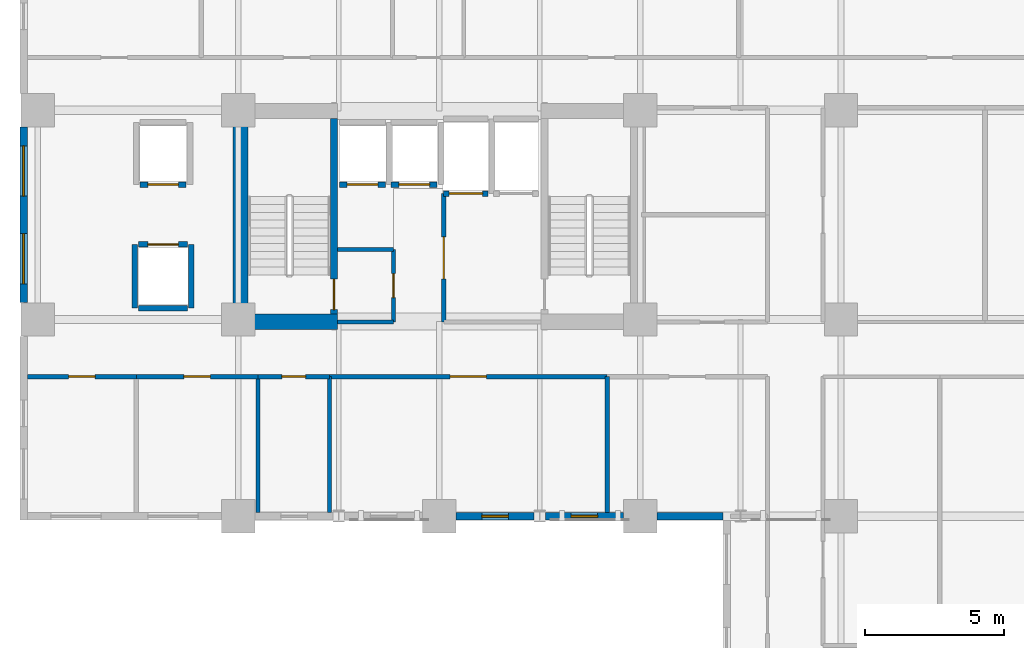
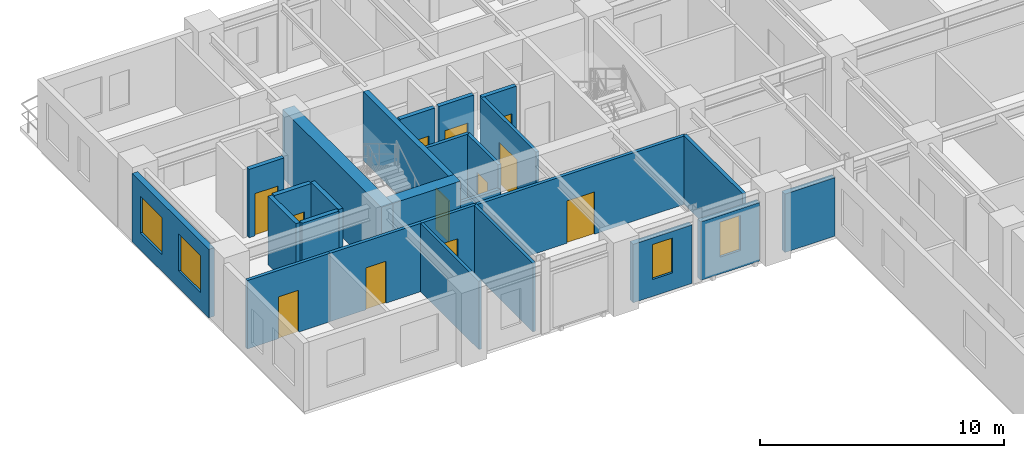
# One storey, part 3 of 11: 26 walls, 12 doors, 4 windows, 16 openings.
"""IFC4 building model written with IfcOpenShell, lengths in metres."""

from ifc_helpers import new_model, si_unit, direction, frame, frame_2d, origin, place, context, subcontext, project, spatial, rectangle, extrude, material, layer, layer_set, type_object, element, fill, save


model = new_model("IFC4")

# Units and contexts
model_context = context("Model", 3, precision=1e-05, world=origin(), true_north=direction((0.0, 1.0)))
body_context = subcontext(model_context, "Body", "Model", "MODEL_VIEW")
ifc_project = project(units=[si_unit("LENGTHUNIT", "METRE"), si_unit("AREAUNIT", "SQUARE_METRE"), si_unit("VOLUMEUNIT", "CUBIC_METRE"), si_unit("PLANEANGLEUNIT", "RADIAN"), si_unit("MASSUNIT", "GRAM", prefix="KILO")], contexts=[model_context])

# Site, building, storey
site_placement = place(None, origin())
site = spatial("IfcSite", under=ifc_project, at=site_placement, CompositionType="ELEMENT")
building_placement = place(site_placement, origin())
building = spatial("IfcBuilding", under=site, at=building_placement, Name="Kaliganga Portal Commons", CompositionType="ELEMENT")
storey_placement = place(building_placement, frame((0.0, 0.0, 89.699951171875)))
storey = spatial("IfcBuildingStorey", under=building, at=storey_placement, Name="L22", CompositionType="ELEMENT", Elevation=89.699951171875)

# Walls
ifc_material_1 = material(Name="Concrete C60/75", Category="concrete")
ifc_layer_1 = layer(ifc_material_1, 0.550048828125)
ifc_layer_set_1 = layer_set([ifc_layer_1], Name="Concrete C60/75")
wall_type_1 = type_object("IfcWallType", Name="WL-CORE-550", PredefinedType="SHEAR", material=ifc_layer_set_1)
wall_1_placement = place(storey_placement, frame((14.47509765625, 28.300048828125, 0.0), z_axis=(0.0, 0.0, 1.0), x_axis=(0.0, 1.0, 0.0)))
element("IfcWall", 1, at=wall_1_placement, inside=storey, type_object=wall_type_1, Name="Core A West Shear Wall L22", PredefinedType="SHEAR", context=body_context, shape_type="SweptSolid", body=[
    extrude(rectangle(XDim=8.099853515625, YDim=0.550048828125, at=frame_2d((4.0498046875, 0.0))), origin(), (0.0, 0.0, 1.0), 3.449951171875),
])
wall_2_placement = place(storey_placement, frame((14.75, 28.574951171875, 0.0), z_axis=(0.0, 0.0, 1.0), x_axis=(1.0, 0.0, 0.0)))
element("IfcWall", 2, at=wall_2_placement, inside=storey, type_object=wall_type_1, Name="Core A S-West Shear Wall L22", PredefinedType="SHEAR", context=body_context, shape_type="SweptSolid", body=[
    extrude(rectangle(XDim=3.199951171875, YDim=0.550048828125, at=frame_2d((1.60009765625, 0.0))), origin(), (0.0, 0.0, 1.0), 3.449951171875),
])

# Wall, openings, windows
ifc_material_2 = material(Name="Insulated Aluminium-Clad Spandrel Assembly", Category="aluminium")
ifc_layer_2 = layer(ifc_material_2, 0.260009765625)
ifc_layer_set_2 = layer_set([ifc_layer_2], Name="Insulated Aluminium-Clad Spandrel Assembly")
wall_type_2 = type_object("IfcWallType", Name="WL-EXT-SPAND-260", PredefinedType="STANDARD", material=ifc_layer_set_2)
wall_3_placement = place(storey_placement, frame((6.699951171875, 29.2509765625, 0.0), z_axis=(0.0, 0.0, 1.0), x_axis=(0.0, 1.0, 0.0)))
wall_3 = element("IfcWall", 3, at=wall_3_placement, inside=storey, type_object=wall_type_2, Name="Exterior Envelope Wall L22 P1-E03-S2", PredefinedType="STANDARD", context=body_context, shape_type="SweptSolid", body=[
    extrude(rectangle(XDim=6.298095703125, YDim=0.260009765625, at=frame_2d((3.14892578125, 0.0))), origin(), (0.0, 0.0, 1.0), 3.429931640625),
])
opening_1_placement = place(wall_3_placement, frame((0.674560546875, 0.0, 0.85009765625)))
opening_1 = element("IfcOpeningElement", 4, at=opening_1_placement, cuts=wall_3, Name="Opening W-01", PredefinedType="OPENING", context=body_context, shape_type="SweptSolid", body=[
    extrude(rectangle(XDim=1.800048828125, YDim=1.85009765625, at=frame_2d((0.89990234375, 0.925048828125))), frame((0.0, 0.14013671875, 0.0), z_axis=(0.0, -1.0, 0.0), x_axis=(1.0, 0.0, 0.0)), (0.0, 0.0, 1.0), 0.280029296875),
])
opening_2_placement = place(wall_3_placement, frame((3.823486328125, 0.0, 0.85009765625)))
opening_2 = element("IfcOpeningElement", 5, at=opening_2_placement, cuts=wall_3, Name="Opening W-01", PredefinedType="OPENING", context=body_context, shape_type="SweptSolid", body=[
    extrude(rectangle(XDim=1.800048828125, YDim=1.85009765625, at=frame_2d((0.89990234375, 0.925048828125))), frame((0.0, 0.14013671875, 0.0), z_axis=(0.0, -1.0, 0.0), x_axis=(1.0, 0.0, 0.0)), (0.0, 0.0, 1.0), 0.280029296875),
])
ifc_material_3 = material(Name="Thermally Broken Aluminium and Low-E Double Glazing", Category="aluminium")
window_type_1 = type_object("IfcWindowType", Name="WIN-STD-1800", PartitioningType="DOUBLE_PANEL_VERTICAL", PredefinedType="WINDOW", material=ifc_material_3)
window_1_placement = place(opening_1_placement, origin())
window_1 = element("IfcWindow", 6, at=window_1_placement, inside=storey, type_object=window_type_1, Name="Facade Window L22-P1E03S2-00", OverallHeight=1.85009765625, OverallWidth=1.800048828125, PartitioningType="SINGLE_PANEL", PredefinedType="WINDOW", context=body_context, shape_type="SweptSolid", body=[
    extrude(rectangle(XDim=1.800048828125, YDim=1.85009765625, at=frame_2d((0.89990234375, 0.925048828125))), frame((0.0, 0.030029296875, 0.0), z_axis=(0.0, -1.0, 0.0), x_axis=(1.0, 0.0, 0.0)), (0.0, 0.0, 1.0), 0.06005859375),
])
fill(opening_1, window_1)
window_2_placement = place(opening_2_placement, origin())
window_2 = element("IfcWindow", 7, at=window_2_placement, inside=storey, type_object=window_type_1, Name="Facade Window L22-P1E03S2-01", OverallHeight=1.85009765625, OverallWidth=1.800048828125, PartitioningType="SINGLE_PANEL", PredefinedType="WINDOW", context=body_context, shape_type="SweptSolid", body=[
    extrude(rectangle(XDim=1.800048828125, YDim=1.85009765625, at=frame_2d((0.89990234375, 0.925048828125))), frame((0.0, 0.030029296875, 0.0), z_axis=(0.0, -1.0, 0.0), x_axis=(1.0, 0.0, 0.0)), (0.0, 0.0, 1.0), 0.06005859375),
])
fill(opening_2, window_2)

# Wall, opening, window
wall_4_placement = place(storey_placement, frame((24.994384765625, 21.60009765625, 0.0), z_axis=(0.0, 0.0, 1.0), x_axis=(-1.0, 0.0, 0.0)))
wall_4 = element("IfcWall", 8, at=wall_4_placement, inside=storey, type_object=wall_type_2, Name="Exterior Envelope Wall L22 P1-E04-S4", PredefinedType="STANDARD", context=body_context, shape_type="SweptSolid", body=[
    extrude(rectangle(XDim=2.79345703125, YDim=0.260009765625, at=frame_2d((1.396728515625, 0.0))), origin(), (0.0, 0.0, 1.0), 2.929931640625),
])
opening_3_placement = place(wall_4_placement, frame((0.921630859375, 0.0, 0.85009765625)))
opening_3 = element("IfcOpeningElement", 9, at=opening_3_placement, cuts=wall_4, Name="Opening W-04", PredefinedType="OPENING", context=body_context, shape_type="SweptSolid", body=[
    extrude(rectangle(XDim=0.949951171875, YDim=1.75, at=frame_2d((0.47509765625, 0.875))), frame((0.0, 0.14013671875, 0.0), z_axis=(0.0, -1.0, 0.0), x_axis=(1.0, 0.0, 0.0)), (0.0, 0.0, 1.0), 0.280029296875),
])
window_type_2 = type_object("IfcWindowType", Name="WIN-NARROW-950", PartitioningType="SINGLE_PANEL", PredefinedType="WINDOW", material=ifc_material_3)
window_3_placement = place(opening_3_placement, origin())
window_3 = element("IfcWindow", 10, at=window_3_placement, inside=storey, type_object=window_type_2, Name="Facade Window L22-P1E04S4-00", OverallHeight=1.75, OverallWidth=0.949951171875, PartitioningType="SINGLE_PANEL", PredefinedType="WINDOW", context=body_context, shape_type="SweptSolid", body=[
    extrude(rectangle(XDim=0.949951171875, YDim=1.75, at=frame_2d((0.47509765625, 0.875))), frame((0.0, 0.030029296875, 0.0), z_axis=(0.0, -1.0, 0.0), x_axis=(1.0, 0.0, 0.0)), (0.0, 0.0, 1.0), 0.06005859375),
])
fill(opening_3, window_3)

wall_5_placement = place(storey_placement, frame((28.198974609375, 21.60009765625, 0.0), z_axis=(0.0, 0.0, 1.0), x_axis=(-1.0, 0.0, 0.0)))
wall_5 = element("IfcWall", 11, at=wall_5_placement, inside=storey, type_object=wall_type_2, Name="Exterior Envelope Wall L22 P1-E04-S5", PredefinedType="STANDARD", context=body_context, shape_type="SweptSolid", body=[
    extrude(rectangle(XDim=2.79345703125, YDim=0.260009765625, at=frame_2d((1.396728515625, 0.0))), origin(), (0.0, 0.0, 1.0), 2.929931640625),
])
opening_4_placement = place(wall_5_placement, frame((0.921875, 0.0, 0.85009765625)))
opening_4 = element("IfcOpeningElement", 12, at=opening_4_placement, cuts=wall_5, Name="Opening W-04", PredefinedType="OPENING", context=body_context, shape_type="SweptSolid", body=[
    extrude(rectangle(XDim=0.949951171875, YDim=1.75, at=frame_2d((0.47509765625, 0.875))), frame((0.0, 0.14013671875, 0.0), z_axis=(0.0, -1.0, 0.0), x_axis=(1.0, 0.0, 0.0)), (0.0, 0.0, 1.0), 0.280029296875),
])
window_4_placement = place(opening_4_placement, origin())
window_4 = element("IfcWindow", 13, at=window_4_placement, inside=storey, type_object=window_type_2, Name="Facade Window L22-P1E04S5-00", OverallHeight=1.75, OverallWidth=0.949951171875, PartitioningType="SINGLE_PANEL", PredefinedType="WINDOW", context=body_context, shape_type="SweptSolid", body=[
    extrude(rectangle(XDim=0.949951171875, YDim=1.75, at=frame_2d((0.47509765625, 0.875))), frame((0.0, 0.030029296875, 0.0), z_axis=(0.0, -1.0, 0.0), x_axis=(1.0, 0.0, 0.0)), (0.0, 0.0, 1.0), 0.06005859375),
])
fill(opening_4, window_4)

# Wall
wall_6_placement = place(storey_placement, frame((31.764892578125, 21.60009765625, 0.0), z_axis=(0.0, 0.0, 1.0), x_axis=(-1.0, 0.0, 0.0)))
element("IfcWall", 14, at=wall_6_placement, inside=storey, type_object=wall_type_2, Name="Exterior Envelope Wall L22 P1-E04-S6", PredefinedType="STANDARD", context=body_context, shape_type="SweptSolid", body=[
    extrude(rectangle(XDim=2.364013671875, YDim=0.260009765625, at=frame_2d((1.18212890625, 0.0))), origin(), (0.0, 0.0, 1.0), 2.929931640625),
])

# Wall, opening, door
ifc_material_4 = material(Name="Fire-Rated Gypsum Board on Steel Stud", Category="steel")
ifc_layer_3 = layer(ifc_material_4, 0.14990234375)
ifc_layer_set_3 = layer_set([ifc_layer_3], Name="Fire-Rated Gypsum Board on Steel Stud")
wall_type_3 = type_object("IfcWallType", Name="WL-PART-CORR-150", PredefinedType="PARTITIONING", material=ifc_layer_set_3)
wall_7_placement = place(storey_placement, frame((17.659912109375, 26.60009765625, 0.0), z_axis=(0.0, 0.0, 1.0), x_axis=(1.0, 0.0, 0.0)))
wall_7 = element("IfcWall", 15, at=wall_7_placement, inside=storey, type_object=wall_type_3, Name="Interior Partition L22-011", PredefinedType="PARTITIONING", context=body_context, shape_type="SweptSolid", body=[
    extrude(rectangle(XDim=9.960205078125, YDim=0.14990234375, at=frame_2d((4.97998046875, 0.0))), origin(), (0.0, 0.0, 1.0), 3.429931640625),
])
opening_5_placement = place(wall_7_placement, frame((4.330078125, 0.0, 0.0)))
opening_5 = element("IfcOpeningElement", 16, at=opening_5_placement, cuts=wall_7, Name="Opening RD-03", PredefinedType="OPENING", context=body_context, shape_type="SweptSolid", body=[
    extrude(rectangle(XDim=1.300048828125, YDim=2.1201171875, at=frame_2d((0.64990234375, 1.06005859375))), frame((0.0, 0.0849609375, 0.0), z_axis=(0.0, -1.0, 0.0), x_axis=(1.0, 0.0, 0.0)), (0.0, 0.0, 1.0), 0.169921875),
])
ifc_material_5 = material(Name="Glazed Timber Seminar Vision Door", Category="wood")
door_type_1 = type_object("IfcDoorType", Name="DR-STUDY-1300", OperationType="DOUBLE_DOOR_SINGLE_SWING", PredefinedType="DOOR", material=ifc_material_5)
door_1_placement = place(opening_5_placement, origin())
door_1 = element("IfcDoor", 17, at=door_1_placement, inside=storey, type_object=door_type_1, Name="Interior Door L22-AS04", OperationType="DOUBLE_DOOR_SINGLE_SWING", OverallHeight=2.1201171875, OverallWidth=1.300048828125, PredefinedType="DOOR", context=body_context, shape_type="SweptSolid", body=[
    extrude(rectangle(XDim=1.300048828125, YDim=2.1201171875, at=frame_2d((0.64990234375, 1.06005859375))), frame((0.0, 0.02490234375, 0.0), z_axis=(0.0, -1.0, 0.0), x_axis=(1.0, 0.0, 0.0)), (0.0, 0.0, 1.0), 0.050048828125),
])
fill(opening_5, door_1)

wall_8_placement = place(storey_placement, frame((10.739990234375, 26.60009765625, 0.0), z_axis=(0.0, 0.0, 1.0), x_axis=(1.0, 0.0, 0.0)))
wall_8 = element("IfcWall", 18, at=wall_8_placement, inside=storey, type_object=wall_type_3, Name="Interior Partition L22-032", PredefinedType="PARTITIONING", context=body_context, shape_type="SweptSolid", body=[
    extrude(rectangle(XDim=4.360107421875, YDim=0.14990234375, at=frame_2d((2.18017578125, 0.0))), origin(), (0.0, 0.0, 1.0), 3.429931640625),
])
opening_6_placement = place(wall_8_placement, frame((1.705078125, 0.0, 0.0)))
opening_6 = element("IfcOpeningElement", 19, at=opening_6_placement, cuts=wall_8, Name="Opening UD-01", PredefinedType="OPENING", context=body_context, shape_type="SweptSolid", body=[
    extrude(rectangle(XDim=0.949951171875, YDim=2.10009765625, at=frame_2d((0.47509765625, 1.050048828125))), frame((0.0, 0.0849609375, 0.0), z_axis=(0.0, -1.0, 0.0), x_axis=(1.0, 0.0, 0.0)), (0.0, 0.0, 1.0), 0.169921875),
])
ifc_material_6 = material(Name="Solid-Core Timber Acoustic Fire Door", Category="wood")
door_type_2 = type_object("IfcDoorType", Name="DR-UNIT-950", OperationType="NOTDEFINED", PredefinedType="DOOR", material=ifc_material_6)
door_2_placement = place(opening_6_placement, origin())
door_2 = element("IfcDoor", 20, at=door_2_placement, inside=storey, type_object=door_type_2, Name="Interior Door L22-AS02", OperationType="SINGLE_SWING_RIGHT", OverallHeight=2.10009765625, OverallWidth=0.949951171875, PredefinedType="DOOR", context=body_context, shape_type="SweptSolid", body=[
    extrude(rectangle(XDim=0.949951171875, YDim=2.10009765625, at=frame_2d((0.47509765625, 1.050048828125))), frame((0.0, 0.02490234375, 0.0), z_axis=(0.0, -1.0, 0.0), x_axis=(1.0, 0.0, 0.0)), (0.0, 0.0, 1.0), 0.050048828125),
])
fill(opening_6, door_2)

wall_9_placement = place(storey_placement, frame((6.83203125, 26.60009765625, 0.0), z_axis=(0.0, 0.0, 1.0), x_axis=(1.0, 0.0, 0.0)))
wall_9 = element("IfcWall", 21, at=wall_9_placement, inside=storey, type_object=wall_type_3, Name="Interior Partition L22-034", PredefinedType="PARTITIONING", context=body_context, shape_type="SweptSolid", body=[
    extrude(rectangle(XDim=3.907958984375, YDim=0.14990234375, at=frame_2d((1.9541015625, 0.0))), origin(), (0.0, 0.0, 1.0), 3.429931640625),
])
opening_7_placement = place(wall_9_placement, frame((1.47900390625, 0.0, 0.0)))
opening_7 = element("IfcOpeningElement", 22, at=opening_7_placement, cuts=wall_9, Name="Opening UD-01", PredefinedType="OPENING", context=body_context, shape_type="SweptSolid", body=[
    extrude(rectangle(XDim=0.949951171875, YDim=2.10009765625, at=frame_2d((0.47509765625, 1.050048828125))), frame((0.0, 0.0849609375, 0.0), z_axis=(0.0, -1.0, 0.0), x_axis=(1.0, 0.0, 0.0)), (0.0, 0.0, 1.0), 0.169921875),
])
door_3_placement = place(opening_7_placement, origin())
door_3 = element("IfcDoor", 23, at=door_3_placement, inside=storey, type_object=door_type_2, Name="Interior Door L22-AS01", OperationType="SINGLE_SWING_LEFT", OverallHeight=2.10009765625, OverallWidth=0.949951171875, PredefinedType="DOOR", context=body_context, shape_type="SweptSolid", body=[
    extrude(rectangle(XDim=0.949951171875, YDim=2.10009765625, at=frame_2d((0.47509765625, 1.050048828125))), frame((0.0, 0.02490234375, 0.0), z_axis=(0.0, -1.0, 0.0), x_axis=(1.0, 0.0, 0.0)), (0.0, 0.0, 1.0), 0.050048828125),
])
fill(opening_7, door_3)

wall_10_placement = place(storey_placement, frame((19.9599609375, 28.56005859375, 0.0), z_axis=(0.0, 0.0, 1.0), x_axis=(0.0, 1.0, 0.0)))
wall_10 = element("IfcWall", 24, at=wall_10_placement, inside=storey, type_object=wall_type_3, Name="Interior Partition L22-038", PredefinedType="PARTITIONING", context=body_context, shape_type="SweptSolid", body=[
    extrude(rectangle(XDim=2.599853515625, YDim=0.14990234375, at=frame_2d((1.2998046875, 0.0))), origin(), (0.0, 0.0, 1.0), 3.429931640625),
])
opening_8_placement = place(wall_10_placement, frame((0.8701171875, 0.0, 0.0)))
opening_8 = element("IfcOpeningElement", 25, at=opening_8_placement, cuts=wall_10, Name="Opening WD-02", PredefinedType="OPENING", context=body_context, shape_type="SweptSolid", body=[
    extrude(rectangle(XDim=0.860107421875, YDim=2.02001953125, at=frame_2d((0.43017578125, 1.010009765625))), frame((0.0, 0.0849609375, 0.0), z_axis=(0.0, -1.0, 0.0), x_axis=(1.0, 0.0, 0.0)), (0.0, 0.0, 1.0), 0.169921875),
])
ifc_material_7 = material(Name="Fire-Rated Utility Closet Door", Category="wood")
door_type_3 = type_object("IfcDoorType", Name="DR-STORE-800", OperationType="NOTDEFINED", PredefinedType="DOOR", material=ifc_material_7)
door_4_placement = place(opening_8_placement, origin())
door_4 = element("IfcDoor", 26, at=door_4_placement, inside=storey, type_object=door_type_3, Name="Interior Door L22-CIN_A1", OperationType="SINGLE_SWING_LEFT", OverallHeight=2.02001953125, OverallWidth=0.860107421875, PredefinedType="DOOR", context=body_context, shape_type="SweptSolid", body=[
    extrude(rectangle(XDim=0.860107421875, YDim=2.02001953125, at=frame_2d((0.43017578125, 1.010009765625))), frame((0.0, 0.02490234375, 0.0), z_axis=(0.0, -1.0, 0.0), x_axis=(1.0, 0.0, 0.0)), (0.0, 0.0, 1.0), 0.050048828125),
])
fill(opening_8, door_4)

wall_11_placement = place(storey_placement, frame((15.10009765625, 26.60009765625, 0.0), z_axis=(0.0, 0.0, 1.0), x_axis=(1.0, 0.0, 0.0)))
wall_11 = element("IfcWall", 27, at=wall_11_placement, inside=storey, type_object=wall_type_3, Name="Interior Partition L22-039", PredefinedType="PARTITIONING", context=body_context, shape_type="SweptSolid", body=[
    extrude(rectangle(XDim=2.559814453125, YDim=0.14990234375, at=frame_2d((1.27978515625, 0.0))), origin(), (0.0, 0.0, 1.0), 3.429931640625),
])
opening_9_placement = place(wall_11_placement, frame((0.85498046875, 0.0, 0.0)))
opening_9 = element("IfcOpeningElement", 28, at=opening_9_placement, cuts=wall_11, Name="Opening WD-01", PredefinedType="OPENING", context=body_context, shape_type="SweptSolid", body=[
    extrude(rectangle(XDim=0.85009765625, YDim=2.0400390625, at=frame_2d((0.425048828125, 1.02001953125))), frame((0.0, 0.0849609375, 0.0), z_axis=(0.0, -1.0, 0.0), x_axis=(1.0, 0.0, 0.0)), (0.0, 0.0, 1.0), 0.169921875),
])
ifc_material_8 = material(Name="Moisture-Resistant Laminate Timber Door", Category="wood")
door_type_4 = type_object("IfcDoorType", Name="DR-WET-850", OperationType="NOTDEFINED", PredefinedType="DOOR", material=ifc_material_8)
door_5_placement = place(opening_9_placement, origin())
door_5 = element("IfcDoor", 29, at=door_5_placement, inside=storey, type_object=door_type_4, Name="Interior Door L22-AS03", OperationType="SINGLE_SWING_RIGHT", OverallHeight=2.0400390625, OverallWidth=0.85009765625, PredefinedType="DOOR", context=body_context, shape_type="SweptSolid", body=[
    extrude(rectangle(XDim=0.85009765625, YDim=2.0400390625, at=frame_2d((0.425048828125, 1.02001953125))), frame((0.0, 0.02490234375, 0.0), z_axis=(0.0, -1.0, 0.0), x_axis=(1.0, 0.0, 0.0)), (0.0, 0.0, 1.0), 0.050048828125),
])
fill(opening_9, door_5)

# Walls
wall_12_placement = place(storey_placement, frame((17.9599609375, 28.56005859375, 0.0), z_axis=(0.0, 0.0, 1.0), x_axis=(1.0, 0.0, 0.0)))
element("IfcWall", 30, at=wall_12_placement, inside=storey, type_object=wall_type_3, Name="Interior Partition L22-042", PredefinedType="PARTITIONING", context=body_context, shape_type="SweptSolid", body=[
    extrude(rectangle(XDim=2.0, YDim=0.14990234375, at=frame_2d((1.0, 0.0))), origin(), (0.0, 0.0, 1.0), 2.22998046875),
])
wall_13_placement = place(storey_placement, frame((17.9599609375, 31.159912109375, 0.0), z_axis=(0.0, 0.0, 1.0), x_axis=(1.0, 0.0, 0.0)))
element("IfcWall", 31, at=wall_13_placement, inside=storey, type_object=wall_type_3, Name="Interior Partition L22-043", PredefinedType="PARTITIONING", context=body_context, shape_type="SweptSolid", body=[
    extrude(rectangle(XDim=2.0, YDim=0.14990234375, at=frame_2d((1.0, 0.0))), origin(), (0.0, 0.0, 1.0), 3.429931640625),
])

# Wall, opening, door
wall_14_placement = place(storey_placement, frame((21.760009765625, 28.56005859375, 0.0), z_axis=(0.0, 0.0, 1.0), x_axis=(0.0, 1.0, 0.0)))
wall_14 = element("IfcWall", 32, at=wall_14_placement, inside=storey, type_object=wall_type_3, Name="Interior Partition L22-072", PredefinedType="PARTITIONING", context=body_context, shape_type="SweptSolid", body=[
    extrude(rectangle(XDim=4.599853515625, YDim=0.14990234375, at=frame_2d((2.2998046875, 0.0))), origin(), (0.0, 0.0, 1.0), 3.429931640625),
])
opening_10_placement = place(wall_14_placement, frame((1.550048828125, 0.0, 0.0)))
opening_10 = element("IfcOpeningElement", 33, at=opening_10_placement, cuts=wall_14, Name="Opening FD-01", PredefinedType="OPENING", context=body_context, shape_type="SweptSolid", body=[
    extrude(rectangle(XDim=1.5, YDim=2.10009765625, at=frame_2d((0.75, 1.050048828125))), frame((0.0, 0.0849609375, 0.0), z_axis=(0.0, -1.0, 0.0), x_axis=(1.0, 0.0, 0.0)), (0.0, 0.0, 1.0), 0.169921875),
])
ifc_material_9 = material(Name="Fire-Rated Hardwood and Georgian-Wired Vision Panel", Category="wood")
door_type_5 = type_object("IfcDoorType", Name="DR-LOBBY-1500", OperationType="DOUBLE_DOOR_SINGLE_SWING", PredefinedType="DOOR", material=ifc_material_9)
door_6_placement = place(opening_10_placement, origin())
door_6 = element("IfcDoor", 34, at=door_6_placement, inside=storey, type_object=door_type_5, Name="Interior Door L22-FFLOB_A", OperationType="DOUBLE_DOOR_SINGLE_SWING", OverallHeight=2.10009765625, OverallWidth=1.5, PredefinedType="DOOR", context=body_context, shape_type="SweptSolid", body=[
    extrude(rectangle(XDim=1.5, YDim=2.10009765625, at=frame_2d((0.75, 1.050048828125))), frame((0.0, 0.02490234375, 0.0), z_axis=(0.0, -1.0, 0.0), x_axis=(1.0, 0.0, 0.0)), (0.0, 0.0, 1.0), 0.050048828125),
])
fill(opening_10, door_6)

# Walls
ifc_material_10 = material(Name="Twin-Stud Acoustic Gypsum Partition", Category="gypsum")
ifc_layer_4 = layer(ifc_material_10, 0.1650390625)
ifc_layer_set_4 = layer_set([ifc_layer_4], Name="Twin-Stud Acoustic Gypsum Partition")
wall_type_4 = type_object("IfcWallType", Name="WL-PART-UNIT-165", PredefinedType="PARTITIONING", material=ifc_layer_set_4)
wall_15_placement = place(storey_placement, frame((27.6201171875, 21.73193359375, 0.0), z_axis=(0.0, 0.0, 1.0), x_axis=(0.0, 1.0, 0.0)))
element("IfcWall", 35, at=wall_15_placement, inside=storey, type_object=wall_type_4, Name="Interior Partition L22-068", PredefinedType="PARTITIONING", context=body_context, shape_type="SweptSolid", body=[
    extrude(rectangle(XDim=4.8681640625, YDim=0.1650390625, at=frame_2d((2.43408203125, 0.0))), origin(), (0.0, 0.0, 1.0), 3.429931640625),
])
ifc_material_11 = material(Name="Cement-Board Wet-Room Partition", Category="gypsum")
ifc_layer_5 = layer(ifc_material_11, 0.135009765625)
ifc_layer_set_5 = layer_set([ifc_layer_5], Name="Cement-Board Wet-Room Partition")
wall_type_5 = type_object("IfcWallType", Name="WL-PART-WET-135", PredefinedType="PARTITIONING", material=ifc_layer_set_5)
for number, where, z_axis, x_axis, name in (
    (36, (15.10009765625, 21.73193359375, 0.0), (0.0, 0.0, 1.0), (0.0, 1.0, 0.0), "Interior Partition L22-066"),
    (37, (17.659912109375, 21.73193359375, 0.0), (0.0, 0.0, 1.0), (0.0, 1.0, 0.0), "Interior Partition L22-067"),
):
    element("IfcWall", number, at=place(storey_placement, frame(where, z_axis=z_axis, x_axis=x_axis)), inside=storey, type_object=wall_type_5, Name=name, PredefinedType="PARTITIONING", context=body_context, shape_type="SweptSolid", body=[
        extrude(rectangle(XDim=4.8681640625, YDim=0.135009765625, at=frame_2d((2.43408203125, 0.0))), origin(), (0.0, 0.0, 1.0), 3.429931640625),
    ])

# Wall, opening, door
ifc_material_12 = material(Name="Fire-Rated Shaftwall Masonry Assembly", Category="masonry")
ifc_layer_6 = layer(ifc_material_12, 0.199951171875)
ifc_layer_set_6 = layer_set([ifc_layer_6], Name="Fire-Rated Shaftwall Masonry Assembly")
wall_type_6 = type_object("IfcWallType", Name="WL-SHAFT-200", PredefinedType="PARTITIONING", material=ifc_layer_set_6)
wall_16_placement = place(storey_placement, frame((18.02490234375, 33.485107421875, 0.0), z_axis=(0.0, 0.0, 1.0), x_axis=(1.0, 0.0, 0.0)))
wall_16 = element("IfcWall", 38, at=wall_16_placement, inside=storey, type_object=wall_type_6, Name="Lift PL-A1 Hoistway Shaft Wall L22-S", PredefinedType="PARTITIONING", context=body_context, shape_type="SweptSolid", body=[
    extrude(rectangle(XDim=1.650146484375, YDim=0.199951171875, at=frame_2d((0.8251953125, 0.0))), origin(), (0.0, 0.0, 1.0), 3.429931640625),
])
opening_11_placement = place(wall_16_placement, frame((0.27490234375, 0.0, 0.0)))
opening_11 = element("IfcOpeningElement", 39, at=opening_11_placement, cuts=wall_16, Name="Opening LD-01", PredefinedType="OPENING", context=body_context, shape_type="SweptSolid", body=[
    extrude(rectangle(XDim=1.10009765625, YDim=2.1201171875, at=frame_2d((0.550048828125, 1.06005859375))), frame((0.0, 0.10986328125, 0.0), z_axis=(0.0, -1.0, 0.0), x_axis=(1.0, 0.0, 0.0)), (0.0, 0.0, 1.0), 0.219970703125),
])
ifc_material_13 = material(Name="Brushed Stainless Steel 316 Lift Landing Door", Category="steel")
door_type_6 = type_object("IfcDoorType", Name="DR-LIFT-1100", OperationType="SLIDING_TO_LEFT", PredefinedType="DOOR", material=ifc_material_13)
door_7_placement = place(opening_11_placement, origin())
door_7 = element("IfcDoor", 40, at=door_7_placement, inside=storey, type_object=door_type_6, Name="Lift PL-A1 Sliding Landing Door L22", OperationType="SLIDING_TO_LEFT", OverallHeight=2.1201171875, OverallWidth=1.10009765625, PredefinedType="DOOR", context=body_context, shape_type="SweptSolid", body=[
    extrude(rectangle(XDim=1.10009765625, YDim=2.1201171875, at=frame_2d((0.550048828125, 1.06005859375))), frame((0.0, 0.02490234375, 0.0), z_axis=(0.0, -1.0, 0.0), x_axis=(1.0, 0.0, 0.0)), (0.0, 0.0, 1.0), 0.050048828125),
])
fill(opening_11, door_7)

wall_17_placement = place(storey_placement, frame((19.875, 33.485107421875, 0.0), z_axis=(0.0, 0.0, 1.0), x_axis=(1.0, 0.0, 0.0)))
wall_17 = element("IfcWall", 41, at=wall_17_placement, inside=storey, type_object=wall_type_6, Name="Lift PL-A2 Hoistway Shaft Wall L22-S", PredefinedType="PARTITIONING", context=body_context, shape_type="SweptSolid", body=[
    extrude(rectangle(XDim=1.64990234375, YDim=0.199951171875, at=frame_2d((0.824951171875, 0.0))), origin(), (0.0, 0.0, 1.0), 3.429931640625),
])
opening_12_placement = place(wall_17_placement, frame((0.27490234375, 0.0, 0.0)))
opening_12 = element("IfcOpeningElement", 42, at=opening_12_placement, cuts=wall_17, Name="Opening LD-01", PredefinedType="OPENING", context=body_context, shape_type="SweptSolid", body=[
    extrude(rectangle(XDim=1.10009765625, YDim=2.1201171875, at=frame_2d((0.550048828125, 1.06005859375))), frame((0.0, 0.10986328125, 0.0), z_axis=(0.0, -1.0, 0.0), x_axis=(1.0, 0.0, 0.0)), (0.0, 0.0, 1.0), 0.219970703125),
])
door_8_placement = place(opening_12_placement, origin())
door_8 = element("IfcDoor", 43, at=door_8_placement, inside=storey, type_object=door_type_6, Name="Lift PL-A2 Sliding Landing Door L22", OperationType="SLIDING_TO_LEFT", OverallHeight=2.1201171875, OverallWidth=1.10009765625, PredefinedType="DOOR", context=body_context, shape_type="SweptSolid", body=[
    extrude(rectangle(XDim=1.10009765625, YDim=2.1201171875, at=frame_2d((0.550048828125, 1.06005859375))), frame((0.0, 0.02490234375, 0.0), z_axis=(0.0, -1.0, 0.0), x_axis=(1.0, 0.0, 0.0)), (0.0, 0.0, 1.0), 0.050048828125),
])
fill(opening_12, door_8)

# Wall
wall_18_placement = place(storey_placement, frame((10.824951171875, 29.06005859375, 0.0), z_axis=(0.0, 0.0, 1.0), x_axis=(1.0, 0.0, 0.0)))
element("IfcWall", 44, at=wall_18_placement, inside=storey, type_object=wall_type_6, Name="Lift SH-1 Hoistway Shaft Wall L22-S", PredefinedType="PARTITIONING", context=body_context, shape_type="SweptSolid", body=[
    extrude(rectangle(XDim=1.75, YDim=0.199951171875, at=frame_2d((0.875, 0.0))), origin(), (0.0, 0.0, 1.0), 3.429931640625),
])

# Wall, opening, door
wall_19_placement = place(storey_placement, frame((10.824951171875, 31.340087890625, 0.0), z_axis=(0.0, 0.0, 1.0), x_axis=(1.0, 0.0, 0.0)))
wall_19 = element("IfcWall", 45, at=wall_19_placement, inside=storey, type_object=wall_type_6, Name="Lift SH-1 Hoistway Shaft Wall L22-N", PredefinedType="PARTITIONING", context=body_context, shape_type="SweptSolid", body=[
    extrude(rectangle(XDim=1.75, YDim=0.199951171875, at=frame_2d((0.875, 0.0))), origin(), (0.0, 0.0, 1.0), 3.429931640625),
])
opening_13_placement = place(wall_19_placement, frame((0.324951171875, 0.0, 0.0)))
opening_13 = element("IfcOpeningElement", 46, at=opening_13_placement, cuts=wall_19, Name="Opening LD-01", PredefinedType="OPENING", context=body_context, shape_type="SweptSolid", body=[
    extrude(rectangle(XDim=1.10009765625, YDim=2.1201171875, at=frame_2d((0.550048828125, 1.06005859375))), frame((0.0, 0.10986328125, 0.0), z_axis=(0.0, -1.0, 0.0), x_axis=(1.0, 0.0, 0.0)), (0.0, 0.0, 1.0), 0.219970703125),
])
door_9_placement = place(opening_13_placement, origin())
door_9 = element("IfcDoor", 47, at=door_9_placement, inside=storey, type_object=door_type_6, Name="Lift SH-1 Sliding Landing Door L22", OperationType="SLIDING_TO_LEFT", OverallHeight=2.1201171875, OverallWidth=1.10009765625, PredefinedType="DOOR", context=body_context, shape_type="SweptSolid", body=[
    extrude(rectangle(XDim=1.10009765625, YDim=2.1201171875, at=frame_2d((0.550048828125, 1.06005859375))), frame((0.0, 0.02490234375, 0.0), z_axis=(0.0, -1.0, 0.0), x_axis=(1.0, 0.0, 0.0)), (0.0, 0.0, 1.0), 0.050048828125),
])
fill(opening_13, door_9)

# Walls
for number, where, z_axis, x_axis, name in (
    (48, (10.68505859375, 29.06005859375, 0.0), (0.0, 0.0, 1.0), (0.0, 1.0, 0.0), "Lift SH-1 Hoistway Shaft Wall L22-W"),
    (49, (12.715087890625, 29.06005859375, 0.0), (0.0, 0.0, 1.0), (0.0, 1.0, 0.0), "Lift SH-1 Hoistway Shaft Wall L22-E"),
):
    element("IfcWall", number, at=place(storey_placement, frame(where, z_axis=z_axis, x_axis=x_axis)), inside=storey, type_object=wall_type_6, Name=name, PredefinedType="PARTITIONING", context=body_context, shape_type="SweptSolid", body=[
        extrude(rectangle(XDim=2.280029296875, YDim=0.199951171875, at=frame_2d((1.14013671875, 0.0))), origin(), (0.0, 0.0, 1.0), 3.429931640625),
    ])

# Wall, opening, door
wall_20_placement = place(storey_placement, frame((10.875, 33.485107421875, 0.0), z_axis=(0.0, 0.0, 1.0), x_axis=(1.0, 0.0, 0.0)))
wall_20 = element("IfcWall", 50, at=wall_20_placement, inside=storey, type_object=wall_type_6, Name="Lift PL-OBS Hoistway Shaft Wall L22-S", PredefinedType="PARTITIONING", context=body_context, shape_type="SweptSolid", body=[
    extrude(rectangle(XDim=1.64990234375, YDim=0.199951171875, at=frame_2d((0.824951171875, 0.0))), origin(), (0.0, 0.0, 1.0), 3.429931640625),
])
opening_14_placement = place(wall_20_placement, frame((0.27490234375, 0.0, 0.0)))
opening_14 = element("IfcOpeningElement", 51, at=opening_14_placement, cuts=wall_20, Name="Opening LD-01", PredefinedType="OPENING", context=body_context, shape_type="SweptSolid", body=[
    extrude(rectangle(XDim=1.10009765625, YDim=2.1201171875, at=frame_2d((0.550048828125, 1.06005859375))), frame((0.0, 0.10986328125, 0.0), z_axis=(0.0, -1.0, 0.0), x_axis=(1.0, 0.0, 0.0)), (0.0, 0.0, 1.0), 0.219970703125),
])
door_10_placement = place(opening_14_placement, origin())
door_10 = element("IfcDoor", 52, at=door_10_placement, inside=storey, type_object=door_type_6, Name="Lift PL-OBS Sliding Landing Door L22", OperationType="SLIDING_TO_LEFT", OverallHeight=2.1201171875, OverallWidth=1.10009765625, PredefinedType="DOOR", context=body_context, shape_type="SweptSolid", body=[
    extrude(rectangle(XDim=1.10009765625, YDim=2.1201171875, at=frame_2d((0.550048828125, 1.06005859375))), frame((0.0, 0.02490234375, 0.0), z_axis=(0.0, -1.0, 0.0), x_axis=(1.0, 0.0, 0.0)), (0.0, 0.0, 1.0), 0.050048828125),
])
fill(opening_14, door_10)

wall_21_placement = place(storey_placement, frame((21.75, 33.159912109375, 0.0), z_axis=(0.0, 0.0, 1.0), x_axis=(1.0, 0.0, 0.0)))
wall_21 = element("IfcWall", 53, at=wall_21_placement, inside=storey, type_object=wall_type_6, Name="Lift FFL-1 Hoistway Shaft Wall L22-S", PredefinedType="PARTITIONING", context=body_context, shape_type="SweptSolid", body=[
    extrude(rectangle(XDim=1.60009765625, YDim=0.199951171875, at=frame_2d((0.800048828125, 0.0))), origin(), (0.0, 0.0, 1.0), 3.429931640625),
])
opening_15_placement = place(wall_21_placement, frame((0.199951171875, 0.0, 0.0)))
opening_15 = element("IfcOpeningElement", 54, at=opening_15_placement, cuts=wall_21, Name="Opening LD-02", PredefinedType="OPENING", context=body_context, shape_type="SweptSolid", body=[
    extrude(rectangle(XDim=1.199951171875, YDim=2.1201171875, at=frame_2d((0.60009765625, 1.06005859375))), frame((0.0, 0.10986328125, 0.0), z_axis=(0.0, -1.0, 0.0), x_axis=(1.0, 0.0, 0.0)), (0.0, 0.0, 1.0), 0.219970703125),
])
ifc_material_14 = material(Name="Brushed Stainless Steel 316 Stretcher Lift Landing Door", Category="steel")
door_type_7 = type_object("IfcDoorType", Name="DR-LIFT-1200", OperationType="SLIDING_TO_RIGHT", PredefinedType="DOOR", material=ifc_material_14)
door_11_placement = place(opening_15_placement, origin())
door_11 = element("IfcDoor", 55, at=door_11_placement, inside=storey, type_object=door_type_7, Name="Lift FFL-1 Sliding Landing Door L22", OperationType="SLIDING_TO_RIGHT", OverallHeight=2.1201171875, OverallWidth=1.199951171875, PredefinedType="DOOR", context=body_context, shape_type="SweptSolid", body=[
    extrude(rectangle(XDim=1.199951171875, YDim=2.1201171875, at=frame_2d((0.60009765625, 1.06005859375))), frame((0.0, 0.02490234375, 0.0), z_axis=(0.0, -1.0, 0.0), x_axis=(1.0, 0.0, 0.0)), (0.0, 0.0, 1.0), 0.050048828125),
])
fill(opening_15, door_11)

ifc_material_15 = material(Name="Concrete C50/60", Category="concrete")
ifc_layer_7 = layer(ifc_material_15, 0.25)
ifc_layer_set_7 = layer_set([ifc_layer_7], Name="Concrete C50/60")
wall_type_7 = type_object("IfcWallType", Name="WL-STAIR-250", PredefinedType="SHEAR", material=ifc_layer_set_7)
wall_22_placement = place(storey_placement, frame((17.824951171875, 28.85009765625, 0.0), z_axis=(0.0, 0.0, 1.0), x_axis=(0.0, 1.0, 0.0)))
wall_22 = element("IfcWall", 56, at=wall_22_placement, inside=storey, type_object=wall_type_7, Name="Stair A1 Enclosure Shear Wall L22", PredefinedType="SHEAR", context=body_context, shape_type="SweptSolid", body=[
    extrude(rectangle(XDim=7.0, YDim=0.25, at=frame_2d((3.5, 0.0))), origin(), (0.0, 0.0, 1.0), 3.449951171875),
])
opening_16_placement = place(wall_22_placement, frame((0.14990234375, 0.0, 0.0)))
opening_16 = element("IfcOpeningElement", 57, at=opening_16_placement, cuts=wall_22, Name="Opening SD-01", PredefinedType="OPENING", context=body_context, shape_type="SweptSolid", body=[
    extrude(rectangle(XDim=1.10009765625, YDim=2.080078125, at=frame_2d((0.550048828125, 1.0400390625))), frame((0.0, 0.135009765625, 0.0), z_axis=(0.0, -1.0, 0.0), x_axis=(1.0, 0.0, 0.0)), (0.0, 0.0, 1.0), 0.27001953125),
])
ifc_material_16 = material(Name="Galvanized Steel Fire Door Leaf and Frame", Category="steel")
door_type_8 = type_object("IfcDoorType", Name="DR-STAIR-1100", OperationType="NOTDEFINED", PredefinedType="DOOR", material=ifc_material_16)
door_12_placement = place(opening_16_placement, origin())
door_12 = element("IfcDoor", 58, at=door_12_placement, inside=storey, type_object=door_type_8, Name="Protected Stair ST-A1 Fire Door L22", OperationType="SINGLE_SWING_RIGHT", OverallHeight=2.080078125, OverallWidth=1.10009765625, PredefinedType="DOOR", context=body_context, shape_type="SweptSolid", body=[
    extrude(rectangle(XDim=1.10009765625, YDim=2.080078125, at=frame_2d((0.550048828125, 1.0400390625))), frame((0.0, 0.02490234375, 0.0), z_axis=(0.0, -1.0, 0.0), x_axis=(1.0, 0.0, 0.0)), (0.0, 0.0, 1.0), 0.050048828125),
])
fill(opening_16, door_12)

save(model, "model.ifc")
